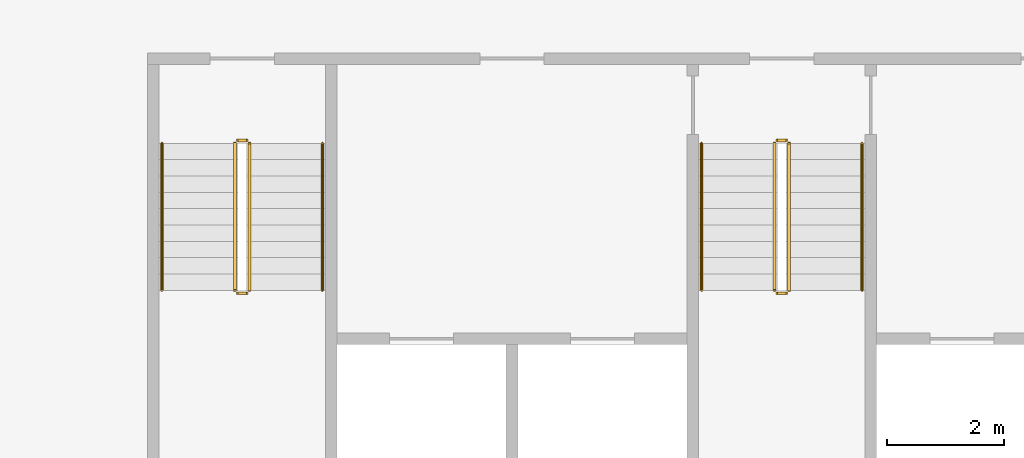
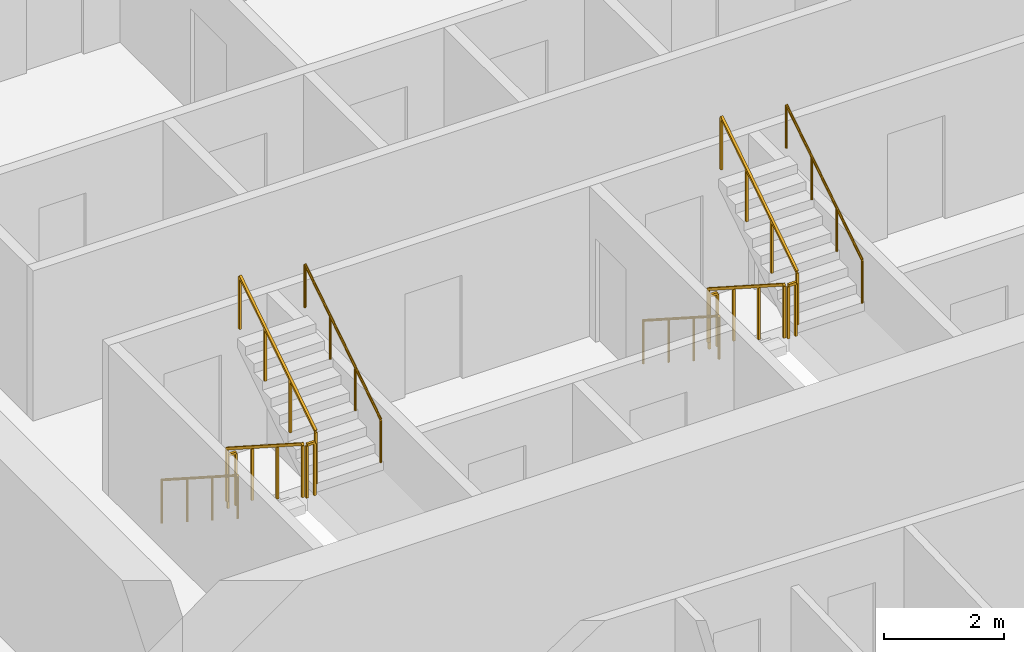
# One storey, part 15 of 17: 12 railings.
"""IFC4 building model written with IfcOpenShell, lengths in metres."""

from ifc_helpers import new_model, si_unit, direction, frame, origin, origin_2d, place, context, subcontext, project, spatial, rectangle, circle, extrude, material, type_object, element, save


model = new_model("IFC4")

# Units and contexts
model_context = context("Model", 3, precision=1e-05, world=origin(), true_north=direction((0.0, 1.0)))
body_context = subcontext(model_context, "Body", "Model", "MODEL_VIEW")
ifc_project = project(units=[si_unit("LENGTHUNIT", "METRE"), si_unit("AREAUNIT", "SQUARE_METRE"), si_unit("VOLUMEUNIT", "CUBIC_METRE"), si_unit("PLANEANGLEUNIT", "RADIAN"), si_unit("MASSUNIT", "GRAM", prefix="KILO")], contexts=[model_context])

# Site, building, storey
site_placement = place(None, origin())
site = spatial("IfcSite", under=ifc_project, at=site_placement, CompositionType="ELEMENT")
building_placement = place(site_placement, origin())
building = spatial("IfcBuilding", under=site, at=building_placement, Name="Mangrove Gate Tower", CompositionType="ELEMENT")
storey_placement = place(building_placement, frame((0.0, 0.0, 268.10009765625)))
storey = spatial("IfcBuildingStorey", under=building, at=storey_placement, Name="L68", CompositionType="ELEMENT", Elevation=268.10009765625)

# Railings
ifc_material_1 = material(Name="Stainless steel 316", Category="steel")
railing_type_1 = type_object("IfcRailingType", Name="Core stair guard 1100", PredefinedType="GUARDRAIL", material=ifc_material_1)
railing_1_placement = place(storey_placement, frame((-9.39990234375, -4.64990234375, 0.179931640625)))
element("IfcRailing", 1, at=railing_1_placement, inside=storey, type_object=railing_type_1, Name="L68 ST1 stair guard 1", PredefinedType="GUARDRAIL", context=body_context, shape_type="SweptSolid", body=[
    extrude(rectangle(XDim=0.048095703125, YDim=0.048095703125, at=origin_2d()), frame((0.0, 0.0, 1.076171875), z_axis=(0.0, -0.841199657755, 0.540724639528), x_axis=(1.0, 0.0, 0.0)), (0.0, 0.0, 1.0), 2.995849609375),
    extrude(rectangle(XDim=0.0419921875, YDim=0.0419921875, at=origin_2d()), origin(), (0.0, 0.0, 1.0), 1.052001953125),
    extrude(rectangle(XDim=0.0419921875, YDim=0.0419921875, at=origin_2d()), frame((0.0, -0.840087890625, 0.5400390625)), (0.0, 0.0, 1.0), 1.052001953125),
    extrude(rectangle(XDim=0.0419921875, YDim=0.0419921875, at=origin_2d()), frame((0.0, -1.679931640625, 1.079833984375)), (0.0, 0.0, 1.0), 1.052001953125),
    extrude(rectangle(XDim=0.0419921875, YDim=0.0419921875, at=origin_2d()), frame((0.0, -2.52001953125, 1.619873046875)), (0.0, 0.0, 1.0), 1.052001953125),
])
railing_2_placement = place(storey_placement, frame((-9.35009765625, -7.219970703125, 1.7998046875)))
element("IfcRailing", 2, at=railing_2_placement, inside=storey, type_object=railing_type_1, Name="L68 ST1 stair guard 2", PredefinedType="GUARDRAIL", context=body_context, shape_type="SweptSolid", body=[
    extrude(rectangle(XDim=0.048095703125, YDim=0.048095703125, at=origin_2d()), frame((0.0, 0.0, 1.076171875), z_axis=(1.0, 0.0, 0.0), x_axis=(0.0, 1.0, 0.0)), (0.0, 0.0, 1.0), 0.150146484375),
    extrude(rectangle(XDim=0.0419921875, YDim=0.0419921875, at=origin_2d()), origin(), (0.0, 0.0, 1.0), 1.052001953125),
    extrude(rectangle(XDim=0.0419921875, YDim=0.0419921875, at=origin_2d()), frame((0.150146484375, 0.0, 0.0)), (0.0, 0.0, 1.0), 1.052001953125),
])
railing_3_placement = place(storey_placement, frame((-9.14990234375, -7.169921875, 1.97998046875)))
element("IfcRailing", 3, at=railing_3_placement, inside=storey, type_object=railing_type_1, Name="L68 ST1 stair guard 3", PredefinedType="GUARDRAIL", context=body_context, shape_type="SweptSolid", body=[
    extrude(rectangle(XDim=0.048095703125, YDim=0.048095703125, at=origin_2d()), frame((0.0, 0.0, 1.076171875), z_axis=(0.0, 0.841199657755, 0.540724639528), x_axis=(-1.0, 0.0, 0.0)), (0.0, 0.0, 1.0), 2.995849609375),
    extrude(rectangle(XDim=0.0419921875, YDim=0.0419921875, at=origin_2d()), origin(), (0.0, 0.0, 1.0), 1.052001953125),
    extrude(rectangle(XDim=0.0419921875, YDim=0.0419921875, at=origin_2d()), frame((0.0, 0.840087890625, 0.5400390625)), (0.0, 0.0, 1.0), 1.052001953125),
    extrude(rectangle(XDim=0.0419921875, YDim=0.0419921875, at=origin_2d()), frame((0.0, 1.679931640625, 1.079833984375)), (0.0, 0.0, 1.0), 1.052001953125),
    extrude(rectangle(XDim=0.0419921875, YDim=0.0419921875, at=origin_2d()), frame((0.0, 2.52001953125, 1.619873046875)), (0.0, 0.0, 1.0), 1.052001953125),
])
railing_4_placement = place(storey_placement, frame((-9.35009765625, -4.60009765625, 0.0)))
element("IfcRailing", 4, at=railing_4_placement, inside=storey, type_object=railing_type_1, Name="L68 ST1 stair guard 4", PredefinedType="GUARDRAIL", context=body_context, shape_type="SweptSolid", body=[
    extrude(rectangle(XDim=0.048095703125, YDim=0.048095703125, at=origin_2d()), frame((0.0, 0.0, 1.076171875), z_axis=(1.0, 0.0, 0.0), x_axis=(0.0, 1.0, 0.0)), (0.0, 0.0, 1.0), 0.150146484375),
    extrude(rectangle(XDim=0.0419921875, YDim=0.0419921875, at=origin_2d()), origin(), (0.0, 0.0, 1.0), 1.052001953125),
    extrude(rectangle(XDim=0.0419921875, YDim=0.0419921875, at=origin_2d()), frame((0.150146484375, 0.0, 0.0)), (0.0, 0.0, 1.0), 1.052001953125),
])
railing_5_placement = place(storey_placement, frame((-0.14990234375, -4.64990234375, 0.179931640625)))
element("IfcRailing", 5, at=railing_5_placement, inside=storey, type_object=railing_type_1, Name="L68 ST2 stair guard 1", PredefinedType="GUARDRAIL", context=body_context, shape_type="SweptSolid", body=[
    extrude(rectangle(XDim=0.048095703125, YDim=0.048095703125, at=origin_2d()), frame((0.0, 0.0, 1.076171875), z_axis=(0.0, -0.841199657755, 0.540724639528), x_axis=(1.0, 0.0, 0.0)), (0.0, 0.0, 1.0), 2.995849609375),
    extrude(rectangle(XDim=0.0419921875, YDim=0.0419921875, at=origin_2d()), origin(), (0.0, 0.0, 1.0), 1.052001953125),
    extrude(rectangle(XDim=0.0419921875, YDim=0.0419921875, at=origin_2d()), frame((0.0, -0.840087890625, 0.5400390625)), (0.0, 0.0, 1.0), 1.052001953125),
    extrude(rectangle(XDim=0.0419921875, YDim=0.0419921875, at=origin_2d()), frame((0.0, -1.679931640625, 1.079833984375)), (0.0, 0.0, 1.0), 1.052001953125),
    extrude(rectangle(XDim=0.0419921875, YDim=0.0419921875, at=origin_2d()), frame((0.0, -2.52001953125, 1.619873046875)), (0.0, 0.0, 1.0), 1.052001953125),
])
railing_6_placement = place(storey_placement, frame((-0.10009765625, -7.219970703125, 1.7998046875)))
element("IfcRailing", 6, at=railing_6_placement, inside=storey, type_object=railing_type_1, Name="L68 ST2 stair guard 2", PredefinedType="GUARDRAIL", context=body_context, shape_type="SweptSolid", body=[
    extrude(rectangle(XDim=0.048095703125, YDim=0.048095703125, at=origin_2d()), frame((0.0, 0.0, 1.076171875), z_axis=(1.0, 0.0, 0.0), x_axis=(0.0, 1.0, 0.0)), (0.0, 0.0, 1.0), 0.150146484375),
    extrude(rectangle(XDim=0.0419921875, YDim=0.0419921875, at=origin_2d()), origin(), (0.0, 0.0, 1.0), 1.052001953125),
    extrude(rectangle(XDim=0.0419921875, YDim=0.0419921875, at=origin_2d()), frame((0.150146484375, 0.0, 0.0)), (0.0, 0.0, 1.0), 1.052001953125),
])
railing_7_placement = place(storey_placement, frame((0.10009765625, -7.169921875, 1.97998046875)))
element("IfcRailing", 7, at=railing_7_placement, inside=storey, type_object=railing_type_1, Name="L68 ST2 stair guard 3", PredefinedType="GUARDRAIL", context=body_context, shape_type="SweptSolid", body=[
    extrude(rectangle(XDim=0.048095703125, YDim=0.048095703125, at=origin_2d()), frame((0.0, 0.0, 1.076171875), z_axis=(0.0, 0.841199657755, 0.540724639528), x_axis=(-1.0, 0.0, 0.0)), (0.0, 0.0, 1.0), 2.995849609375),
    extrude(rectangle(XDim=0.0419921875, YDim=0.0419921875, at=origin_2d()), origin(), (0.0, 0.0, 1.0), 1.052001953125),
    extrude(rectangle(XDim=0.0419921875, YDim=0.0419921875, at=origin_2d()), frame((0.0, 0.840087890625, 0.5400390625)), (0.0, 0.0, 1.0), 1.052001953125),
    extrude(rectangle(XDim=0.0419921875, YDim=0.0419921875, at=origin_2d()), frame((0.0, 1.679931640625, 1.079833984375)), (0.0, 0.0, 1.0), 1.052001953125),
    extrude(rectangle(XDim=0.0419921875, YDim=0.0419921875, at=origin_2d()), frame((0.0, 2.52001953125, 1.619873046875)), (0.0, 0.0, 1.0), 1.052001953125),
])
railing_8_placement = place(storey_placement, frame((-0.10009765625, -4.60009765625, 0.0)))
element("IfcRailing", 8, at=railing_8_placement, inside=storey, type_object=railing_type_1, Name="L68 ST2 stair guard 4", PredefinedType="GUARDRAIL", context=body_context, shape_type="SweptSolid", body=[
    extrude(rectangle(XDim=0.048095703125, YDim=0.048095703125, at=origin_2d()), frame((0.0, 0.0, 1.076171875), z_axis=(1.0, 0.0, 0.0), x_axis=(0.0, 1.0, 0.0)), (0.0, 0.0, 1.0), 0.150146484375),
    extrude(rectangle(XDim=0.0419921875, YDim=0.0419921875, at=origin_2d()), origin(), (0.0, 0.0, 1.0), 1.052001953125),
    extrude(rectangle(XDim=0.0419921875, YDim=0.0419921875, at=origin_2d()), frame((0.150146484375, 0.0, 0.0)), (0.0, 0.0, 1.0), 1.052001953125),
])
ifc_material_2 = material(Name="Stainless steel 316", Category="steel")
railing_type_2 = type_object("IfcRailingType", Name="Core stair handrail 900", PredefinedType="HANDRAIL", material=ifc_material_2)
railing_9_placement = place(storey_placement, frame((-10.64990234375, -4.64990234375, 0.179931640625)))
element("IfcRailing", 9, at=railing_9_placement, inside=storey, type_object=railing_type_2, Name="L68 ST1 stair handrail 1", PredefinedType="HANDRAIL", context=body_context, shape_type="SweptSolid", body=[
    extrude(circle(Radius=0.02392578125, at=origin_2d()), frame((0.0, 0.0, 0.8759765625), z_axis=(0.0, -0.841199657755, 0.540724639528), x_axis=(1.0, 0.0, 0.0)), (0.0, 0.0, 1.0), 2.995849609375),
    extrude(circle(Radius=0.02099609375, at=origin_2d()), origin(), (0.0, 0.0, 1.0), 0.851806640625),
    extrude(circle(Radius=0.02099609375, at=origin_2d()), frame((0.0, -0.840087890625, 0.5400390625)), (0.0, 0.0, 1.0), 0.851806640625),
    extrude(circle(Radius=0.02099609375, at=origin_2d()), frame((0.0, -1.679931640625, 1.079833984375)), (0.0, 0.0, 1.0), 0.851806640625),
    extrude(circle(Radius=0.02099609375, at=origin_2d()), frame((0.0, -2.52001953125, 1.619873046875)), (0.0, 0.0, 1.0), 0.851806640625),
])
railing_10_placement = place(storey_placement, frame((-7.89990234375, -7.169921875, 1.97998046875)))
element("IfcRailing", 10, at=railing_10_placement, inside=storey, type_object=railing_type_2, Name="L68 ST1 stair handrail 2", PredefinedType="HANDRAIL", context=body_context, shape_type="SweptSolid", body=[
    extrude(circle(Radius=0.02392578125, at=origin_2d()), frame((0.0, 0.0, 0.8759765625), z_axis=(0.0, 0.841199657755, 0.540724639528), x_axis=(-1.0, 0.0, 0.0)), (0.0, 0.0, 1.0), 2.995849609375),
    extrude(circle(Radius=0.02099609375, at=origin_2d()), origin(), (0.0, 0.0, 1.0), 0.851806640625),
    extrude(circle(Radius=0.02099609375, at=origin_2d()), frame((0.0, 0.840087890625, 0.5400390625)), (0.0, 0.0, 1.0), 0.851806640625),
    extrude(circle(Radius=0.02099609375, at=origin_2d()), frame((0.0, 1.679931640625, 1.079833984375)), (0.0, 0.0, 1.0), 0.851806640625),
    extrude(circle(Radius=0.02099609375, at=origin_2d()), frame((0.0, 2.52001953125, 1.619873046875)), (0.0, 0.0, 1.0), 0.851806640625),
])
railing_11_placement = place(storey_placement, frame((-1.39990234375, -4.64990234375, 0.179931640625)))
element("IfcRailing", 11, at=railing_11_placement, inside=storey, type_object=railing_type_2, Name="L68 ST2 stair handrail 1", PredefinedType="HANDRAIL", context=body_context, shape_type="SweptSolid", body=[
    extrude(circle(Radius=0.02392578125, at=origin_2d()), frame((0.0, 0.0, 0.8759765625), z_axis=(0.0, -0.841199657755, 0.540724639528), x_axis=(1.0, 0.0, 0.0)), (0.0, 0.0, 1.0), 2.995849609375),
    extrude(circle(Radius=0.02099609375, at=origin_2d()), origin(), (0.0, 0.0, 1.0), 0.851806640625),
    extrude(circle(Radius=0.02099609375, at=origin_2d()), frame((0.0, -0.840087890625, 0.5400390625)), (0.0, 0.0, 1.0), 0.851806640625),
    extrude(circle(Radius=0.02099609375, at=origin_2d()), frame((0.0, -1.679931640625, 1.079833984375)), (0.0, 0.0, 1.0), 0.851806640625),
    extrude(circle(Radius=0.02099609375, at=origin_2d()), frame((0.0, -2.52001953125, 1.619873046875)), (0.0, 0.0, 1.0), 0.851806640625),
])
railing_12_placement = place(storey_placement, frame((1.35009765625, -7.169921875, 1.97998046875)))
element("IfcRailing", 12, at=railing_12_placement, inside=storey, type_object=railing_type_2, Name="L68 ST2 stair handrail 2", PredefinedType="HANDRAIL", context=body_context, shape_type="SweptSolid", body=[
    extrude(circle(Radius=0.02392578125, at=origin_2d()), frame((0.0, 0.0, 0.8759765625), z_axis=(0.0, 0.841199657755, 0.540724639528), x_axis=(-1.0, 0.0, 0.0)), (0.0, 0.0, 1.0), 2.995849609375),
    extrude(circle(Radius=0.02099609375, at=origin_2d()), origin(), (0.0, 0.0, 1.0), 0.851806640625),
    extrude(circle(Radius=0.02099609375, at=origin_2d()), frame((0.0, 0.840087890625, 0.5400390625)), (0.0, 0.0, 1.0), 0.851806640625),
    extrude(circle(Radius=0.02099609375, at=origin_2d()), frame((0.0, 1.679931640625, 1.079833984375)), (0.0, 0.0, 1.0), 0.851806640625),
    extrude(circle(Radius=0.02099609375, at=origin_2d()), frame((0.0, 2.52001953125, 1.619873046875)), (0.0, 0.0, 1.0), 0.851806640625),
])

save(model, "model.ifc")
